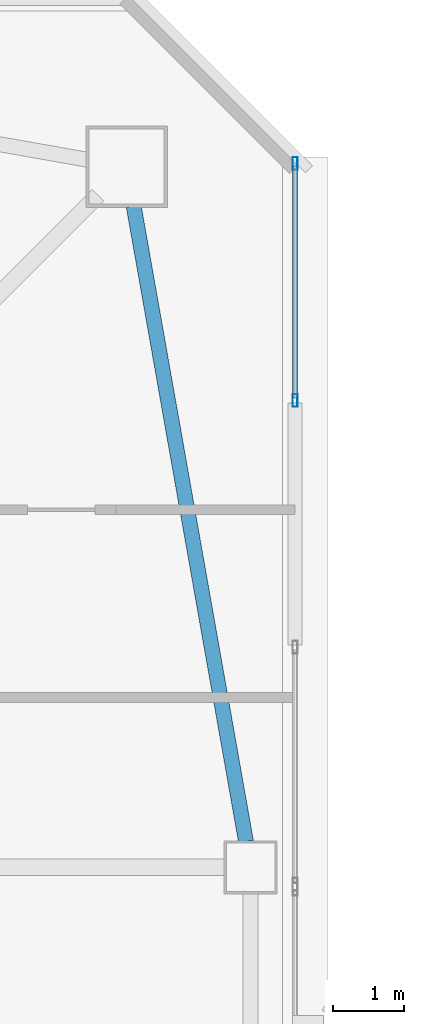
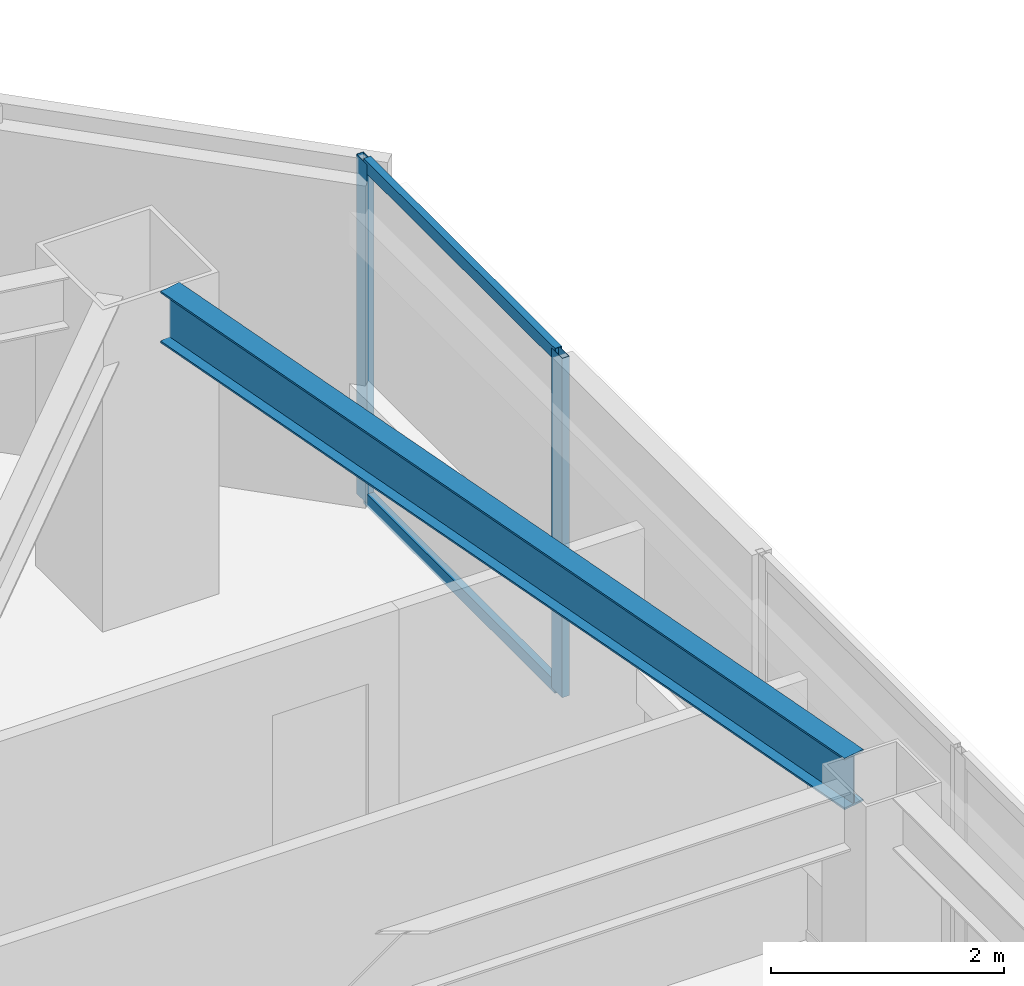
# One storey, part 17 of 46: 4 members, 1 beam, 1 element without a shape of its own.
"""IFC4 building model written with IfcOpenShell, lengths in metres."""

from ifc_helpers import new_model, si_unit, direction, frame, origin, origin_2d, place, context, subcontext, project, spatial, hollow_rectangle, i_section, extrude, material, material_profile, profile_set, type_object, element, aggregate, save


model = new_model("IFC4")

# Units and contexts
model_context = context("Model", 3, precision=1e-05, world=origin(), true_north=direction((0.0, 1.0)))
body_context = subcontext(model_context, "Body", "Model", "MODEL_VIEW")
ifc_project = project(units=[si_unit("LENGTHUNIT", "METRE"), si_unit("AREAUNIT", "SQUARE_METRE"), si_unit("VOLUMEUNIT", "CUBIC_METRE"), si_unit("PLANEANGLEUNIT", "RADIAN"), si_unit("MASSUNIT", "GRAM", prefix="KILO")], contexts=[model_context])

# Site, building, storey
site_placement = place(None, origin())
site = spatial("IfcSite", under=ifc_project, at=site_placement, CompositionType="ELEMENT")
building_placement = place(site_placement, origin())
building = spatial("IfcBuilding", under=site, at=building_placement, Name="Tashvorn Skyway Center", CompositionType="ELEMENT")
storey_placement = place(building_placement, frame((0.0, 0.0, 167.64990234375)))
storey = spatial("IfcBuildingStorey", under=building, at=storey_placement, Name="L45", CompositionType="ELEMENT", Elevation=167.64990234375)

# Beam
ifc_material_1 = material(Name="Steel ASTM A992 Grade 50", Category="steel")
ifc_material_profile_1 = material_profile(ifc_material_1, i_section(OverallWidth=0.2109375, OverallDepth=0.5390625, WebThickness=0.01171875, FlangeThickness=0.018798828125, at=origin_2d()), Name="W21X73")
ifc_profile_set_1 = profile_set([ifc_material_profile_1], Name="Steel ASTM A992 Grade 50")
beam_type = type_object("IfcBeamType", Name="BM-SPANDREL-W21X73", PredefinedType="SPANDREL", material=ifc_profile_set_1)
beam_placement = place(storey_placement, frame((58.985595703125, 37.764404296875, 3.1005859375), z_axis=(-0.174074160933, 0.984732545667, 0.0), x_axis=(-0.984732545667, -0.174074160933, 0.0)))
element("IfcBeam", 1, at=beam_placement, inside=storey, type_object=beam_type, Name="Tower 1 L45 Spandrel Beam 06", PredefinedType="SPANDREL", context=body_context, shape_type="SweptSolid", body=[
    extrude(i_section(OverallWidth=0.2109375, OverallDepth=0.5390625, WebThickness=0.01171875, FlangeThickness=0.018798828125, at=origin_2d()), origin(), (0.0, 0.0, 1.0), 9.113525390625),
])

# Curtain wall, members
ifc_material_2 = material(Name="Thermally broken bronze-anodized aluminium 6063-T6", Category="aluminium")
curtain_wall_type = type_object("IfcCurtainWallType", Name="CW-CW-Z4", PredefinedType="NOTDEFINED", material=ifc_material_2)
curtain_wall_placement = place(storey_placement, origin())
curtain_wall = element("IfcCurtainWall", 2, at=curtain_wall_placement, inside=storey, type_object=curtain_wall_type, Name="Tower 1 L45 East Unitised Curtain Wall Glazing Group 1", PredefinedType="NOTDEFINED")
ifc_material_profile_2 = material_profile(ifc_material_2, hollow_rectangle(XDim=0.070068359375, YDim=0.179931640625, WallThickness=0.00390625, at=origin_2d()), Name="ALU-MULL-70x180")
ifc_profile_set_2 = profile_set([ifc_material_profile_2], Name="Thermally broken bronze-anodized aluminium 6063-T6")
member_type_1 = type_object("IfcMemberType", Name="CWM-CW-Z4", PredefinedType="MULLION", material=ifc_profile_set_2)
member_1_placement = place(storey_placement, frame((59.679931640625, 47.344970703125, 0.0), z_axis=(0.0, 0.0, 1.0), x_axis=(1.0, 0.0, 0.0)))
member_1 = element("IfcMember", 3, at=member_1_placement, type_object=member_type_1, Name="CW-Z4 mullion 1", PredefinedType="MULLION", context=body_context, shape_type="SweptSolid", body=[
    extrude(hollow_rectangle(XDim=0.070068359375, YDim=0.179931640625, WallThickness=0.00390625, at=origin_2d()), origin(), (0.0, 0.0, 1.0), 3.550048828125),
])
member_2_placement = place(storey_placement, frame((59.679931640625, 43.997314453125, 0.0), z_axis=(0.0, 0.0, 1.0), x_axis=(1.0, 0.0, 0.0)))
member_2 = element("IfcMember", 4, at=member_2_placement, type_object=member_type_1, Name="CW-Z4 mullion 2", PredefinedType="MULLION", context=body_context, shape_type="SweptSolid", body=[
    extrude(hollow_rectangle(XDim=0.070068359375, YDim=0.179931640625, WallThickness=0.00390625, at=origin_2d()), origin(), (0.0, 0.0, 1.0), 3.550048828125),
])
ifc_material_profile_3 = material_profile(ifc_material_2, hollow_rectangle(XDim=0.070068359375, YDim=0.1298828125, WallThickness=0.00390625, at=origin_2d()), Name="ALU-TRAN-70x130")
ifc_profile_set_3 = profile_set([ifc_material_profile_3], Name="Thermally broken bronze-anodized aluminium 6063-T6")
member_type_2 = type_object("IfcMemberType", Name="CWT-CW-Z4", PredefinedType="USERDEFINED", material=ifc_profile_set_3)
member_3_placement = place(storey_placement, frame((59.679931640625, 47.31005859375, 0.03515625), z_axis=(0.0, -1.0, 0.0), x_axis=(1.0, 0.0, 0.0)))
member_3 = element("IfcMember", 5, at=member_3_placement, type_object=member_type_2, Name="CW-Z4 transom 1.1", ObjectType="TRANSOM", PredefinedType="USERDEFINED", context=body_context, shape_type="SweptSolid", body=[
    extrude(hollow_rectangle(XDim=0.070068359375, YDim=0.1298828125, WallThickness=0.00390625, at=origin_2d()), origin(), (0.0, 0.0, 1.0), 3.27783203125),
])
member_4_placement = place(storey_placement, frame((59.679931640625, 47.31005859375, 3.51513671875), z_axis=(0.0, -1.0, 0.0), x_axis=(1.0, 0.0, 0.0)))
member_4 = element("IfcMember", 6, at=member_4_placement, type_object=member_type_2, Name="CW-Z4 transom 1.2", ObjectType="TRANSOM", PredefinedType="USERDEFINED", context=body_context, shape_type="SweptSolid", body=[
    extrude(hollow_rectangle(XDim=0.070068359375, YDim=0.1298828125, WallThickness=0.00390625, at=origin_2d()), origin(), (0.0, 0.0, 1.0), 3.27783203125),
])
aggregate(curtain_wall, [member_1, member_2, member_3, member_4])

save(model, "model.ifc")
